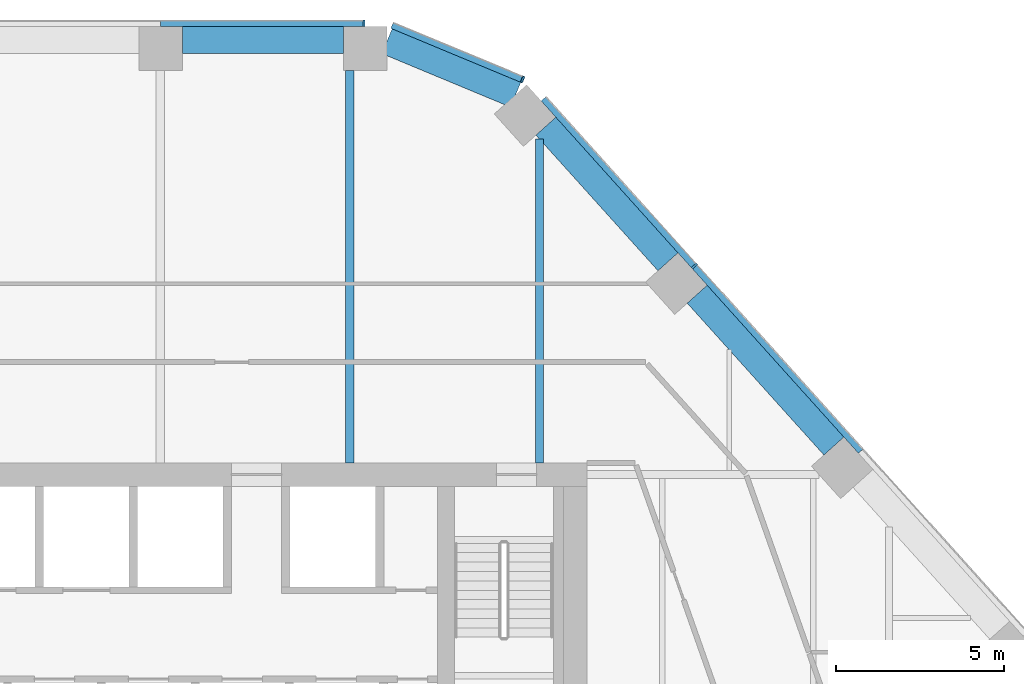
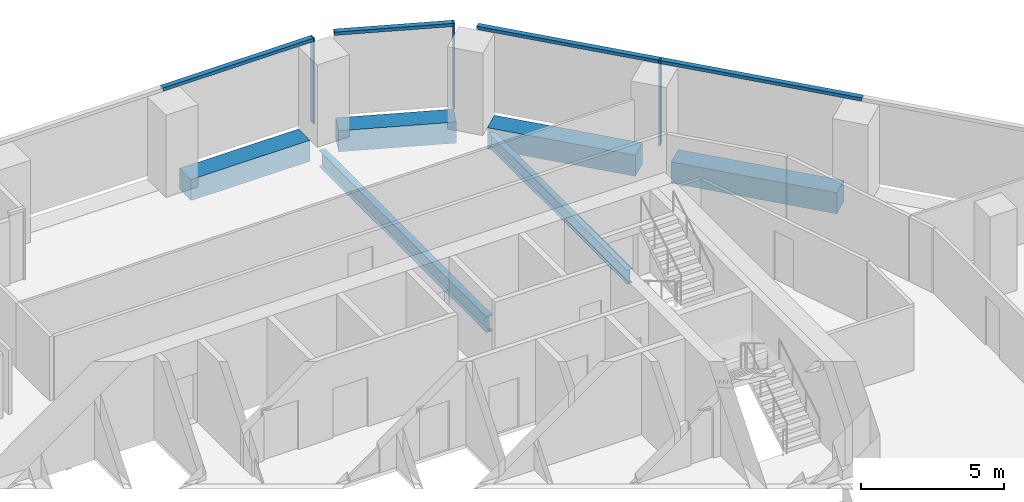
# One storey, part 11 of 26: 7 members, 6 beams, 3 elements without a shape of their own.
"""IFC4 building model written with IfcOpenShell, lengths in metres."""

from ifc_helpers import new_model, si_unit, direction, frame, origin, origin_2d, place, context, subcontext, project, spatial, rectangle, i_section, extrude, material, layer, layer_set, material_profile, profile_set, type_object, element, aggregate, save


model = new_model("IFC4")

# Units and contexts
model_context = context("Model", 3, precision=1e-05, world=origin(), true_north=direction((0.0, 1.0)))
body_context = subcontext(model_context, "Body", "Model", "MODEL_VIEW")
ifc_project = project(units=[si_unit("LENGTHUNIT", "METRE"), si_unit("AREAUNIT", "SQUARE_METRE"), si_unit("VOLUMEUNIT", "CUBIC_METRE"), si_unit("PLANEANGLEUNIT", "RADIAN"), si_unit("MASSUNIT", "GRAM", prefix="KILO")], contexts=[model_context])

# Site, building, storey
site_placement = place(None, origin())
site = spatial("IfcSite", under=ifc_project, at=site_placement, CompositionType="ELEMENT")
building_placement = place(site_placement, origin())
building = spatial("IfcBuilding", under=site, at=building_placement, Name="Isthmus Gate Tower", CompositionType="ELEMENT")
storey_placement = place(building_placement, frame((0.0, 0.0, 189.050048828125)))
storey = spatial("IfcBuildingStorey", under=building, at=storey_placement, Name="L47", CompositionType="ELEMENT", Elevation=189.050048828125)

# Curtain wall, member
ifc_material_1 = material(Name="Aluminium, pale champagne anodised", Category="aluminium")
ifc_layer = layer(ifc_material_1, 0.199951171875)
ifc_layer_set = layer_set([ifc_layer], Name="CW-1 UNITISED CURTAIN WALL 200 DEEP")
curtain_wall_type = type_object("IfcCurtainWallType", Name="CW-1 UNITISED CURTAIN WALL 200 DEEP", PredefinedType="NOTDEFINED", material=ifc_layer_set)
curtain_wall_1_placement = place(storey_placement, origin())
curtain_wall_1 = element("IfcCurtainWall", 1, at=curtain_wall_1_placement, inside=storey, type_object=curtain_wall_type, Name="CW-1 N L47", PredefinedType="NOTDEFINED")
ifc_material_2 = material(Name="Aluminium, pale champagne anodised", Category="aluminium")
ifc_material_profile_1 = material_profile(ifc_material_2, rectangle(XDim=0.06005859375, YDim=0.199951171875, at=origin_2d()), Name="60x200")
ifc_profile_set_1 = profile_set([ifc_material_profile_1], Name="Aluminium, pale champagne anodised")
member_type_1 = type_object("IfcMemberType", Name="CW-1 MULLION 60 X 200", PredefinedType="MULLION", material=ifc_profile_set_1)
member_1_placement = place(storey_placement, frame((8.358642578125, 28.10009765625, 0.0), z_axis=(0.0, 0.0, 1.0), x_axis=(-1.0, 0.0, 0.0)))
member_1 = element("IfcMember", 2, at=member_1_placement, type_object=member_type_1, Name="CW-1 mullion", PredefinedType="MULLION", context=body_context, shape_type="SweptSolid", body=[
    extrude(rectangle(XDim=0.06005859375, YDim=0.199951171875, at=origin_2d()), origin(), (0.0, 0.0, 1.0), 3.64990234375),
])

curtain_wall_2_placement = place(storey_placement, origin())
curtain_wall_2 = element("IfcCurtainWall", 3, at=curtain_wall_2_placement, inside=storey, type_object=curtain_wall_type, Name="CW-1 NE L47", PredefinedType="NOTDEFINED")
member_2_placement = place(storey_placement, frame((18.201416015625, 20.865478515625, 0.0), z_axis=(0.0, 0.0, 1.0), x_axis=(-0.669130606359, 0.743144825477, 0.0)))
member_2 = element("IfcMember", 4, at=member_2_placement, type_object=member_type_1, Name="CW-1 mullion", PredefinedType="MULLION", context=body_context, shape_type="SweptSolid", body=[
    extrude(rectangle(XDim=0.06005859375, YDim=0.199951171875, at=origin_2d()), origin(), (0.0, 0.0, 1.0), 3.64990234375),
])

curtain_wall_3_placement = place(storey_placement, origin())
curtain_wall_3 = element("IfcCurtainWall", 5, at=curtain_wall_3_placement, inside=storey, type_object=curtain_wall_type, Name="CW-1 NE-N L47", PredefinedType="NOTDEFINED")
member_3_placement = place(storey_placement, frame((13.080810546875, 26.427490234375, 0.0), z_axis=(0.0, 0.0, 1.0), x_axis=(-0.923353128387, 0.383951820282, 0.0)))
member_3 = element("IfcMember", 6, at=member_3_placement, type_object=member_type_1, Name="CW-1 mullion", PredefinedType="MULLION", context=body_context, shape_type="SweptSolid", body=[
    extrude(rectangle(XDim=0.06005859375, YDim=0.199951171875, at=origin_2d()), origin(), (0.0, 0.0, 1.0), 3.64990234375),
])

# Member
ifc_material_3 = material(Name="Aluminium, pale champagne anodised", Category="aluminium")
ifc_material_profile_2 = material_profile(ifc_material_3, rectangle(XDim=0.199951171875, YDim=0.139892578125, at=origin_2d()), Name="200x140")
ifc_profile_set_2 = profile_set([ifc_material_profile_2], Name="Aluminium, pale champagne anodised")
member_type_2 = type_object("IfcMemberType", Name="CW-1 TRANSOM 200 X 140", PredefinedType="USERDEFINED", material=ifc_profile_set_2)
member_4_placement = place(storey_placement, frame((8.32861328125, 28.10009765625, 3.579833984375), z_axis=(-1.0, 0.0, 0.0), x_axis=(0.0, -1.0, 0.0)))
member_4 = element("IfcMember", 7, at=member_4_placement, type_object=member_type_2, Name="CW-1 transom", ObjectType="TRANSOM", PredefinedType="USERDEFINED", context=body_context, shape_type="SweptSolid", body=[
    extrude(rectangle(XDim=0.199951171875, YDim=0.139892578125, at=origin_2d()), origin(), (0.0, 0.0, 1.0), 6.040283203125),
])

aggregate(curtain_wall_1, [member_1, member_4])

member_5_placement = place(storey_placement, frame((23.1669921875, 15.350830078125, 3.579833984375), z_axis=(-0.669141738281, 0.743134802099, 0.0), x_axis=(-0.743134802099, -0.669141738281, 0.0)))
member_5 = element("IfcMember", 8, at=member_5_placement, type_object=member_type_2, Name="CW-1 transom", ObjectType="TRANSOM", PredefinedType="USERDEFINED", context=body_context, shape_type="SweptSolid", body=[
    extrude(rectangle(XDim=0.199951171875, YDim=0.139892578125, at=origin_2d()), origin(), (0.0, 0.0, 1.0), 7.390869140625),
])

member_6_placement = place(storey_placement, frame((18.181396484375, 20.887939453125, 3.579833984375), z_axis=(-0.669118161219, 0.743156030943, 0.0), x_axis=(-0.743156030943, -0.669118161219, 0.0)))
member_6 = element("IfcMember", 9, at=member_6_placement, type_object=member_type_2, Name="CW-1 transom", ObjectType="TRANSOM", PredefinedType="USERDEFINED", context=body_context, shape_type="SweptSolid", body=[
    extrude(rectangle(XDim=0.199951171875, YDim=0.139892578125, at=origin_2d()), origin(), (0.0, 0.0, 1.0), 6.6806640625),
])

aggregate(curtain_wall_2, [member_5, member_2, member_6])

member_7_placement = place(storey_placement, frame((13.05322265625, 26.43896484375, 3.579833984375), z_axis=(-0.923358236369, 0.383939536033, 0.0), x_axis=(-0.383939536033, -0.923358236369, 0.0)))
member_7 = element("IfcMember", 10, at=member_7_placement, type_object=member_type_2, Name="CW-1 transom", ObjectType="TRANSOM", PredefinedType="USERDEFINED", context=body_context, shape_type="SweptSolid", body=[
    extrude(rectangle(XDim=0.199951171875, YDim=0.139892578125, at=origin_2d()), origin(), (0.0, 0.0, 1.0), 4.181640625),
])

aggregate(curtain_wall_3, [member_3, member_7])

# Beams
ifc_material_4 = material(Name="Concrete f'c 60 MPa", Category="concrete")
ifc_material_profile_3 = material_profile(ifc_material_4, rectangle(XDim=0.800048828125, YDim=0.89990234375, at=origin_2d()), Name="RC 800X900")
ifc_profile_set_3 = profile_set([ifc_material_profile_3], Name="Concrete f'c 60 MPa")
beam_type_1 = type_object("IfcBeamType", Name="RC SPANDREL 800 X 900", PredefinedType="SPANDREL", material=ifc_profile_set_3)
beam_1_placement = place(storey_placement, frame((9.03857421875, 27.56689453125, -0.449951171875), z_axis=(0.923342835736, -0.383976571805, 0.0), x_axis=(0.383976571805, 0.923342835736, 0.0)))
element("IfcBeam", 11, at=beam_1_placement, inside=storey, type_object=beam_type_1, Name="str-spandrel-L47-00", PredefinedType="SPANDREL", context=body_context, shape_type="SweptSolid", body=[
    extrude(rectangle(XDim=0.800048828125, YDim=0.89990234375, at=origin_2d()), origin(), (0.0, 0.0, 1.0), 4.152587890625),
])
beam_2_placement = place(storey_placement, frame((13.7744140625, 25.03515625, -0.449951171875), z_axis=(0.669118419563, -0.743155798337, 0.0), x_axis=(0.743155798337, 0.669118419563, 0.0)))
element("IfcBeam", 12, at=beam_2_placement, inside=storey, type_object=beam_type_1, Name="str-spandrel-L47-01", PredefinedType="SPANDREL", context=body_context, shape_type="SweptSolid", body=[
    extrude(rectangle(XDim=0.800048828125, YDim=0.89990234375, at=origin_2d()), origin(), (0.0, 0.0, 1.0), 5.44091796875),
])
beam_3_placement = place(storey_placement, frame((18.284912109375, 20.025634765625, -0.449951171875), z_axis=(0.669119737495, -0.743154611703, 0.0), x_axis=(0.743154611703, 0.669119737495, 0.0)))
element("IfcBeam", 13, at=beam_3_placement, inside=storey, type_object=beam_type_1, Name="str-spandrel-L47-02", PredefinedType="SPANDREL", context=body_context, shape_type="SweptSolid", body=[
    extrude(rectangle(XDim=0.800048828125, YDim=0.89990234375, at=origin_2d()), origin(), (0.0, 0.0, 1.0), 6.0908203125),
])
beam_4_placement = place(storey_placement, frame((2.9384765625, 27.60009765625, -0.449951171875), z_axis=(1.0, 0.0, 0.0), x_axis=(0.0, 1.0, 0.0)))
element("IfcBeam", 14, at=beam_4_placement, inside=storey, type_object=beam_type_1, Name="str-spandrel-L47-29", PredefinedType="SPANDREL", context=body_context, shape_type="SweptSolid", body=[
    extrude(rectangle(XDim=0.800048828125, YDim=0.89990234375, at=origin_2d()), origin(), (0.0, 0.0, 1.0), 4.800048828125),
])
ifc_material_5 = material(Name="Structural steel ASTM A992 Gr 50", Category="steel")
ifc_material_profile_4 = material_profile(ifc_material_5, i_section(OverallWidth=0.228515625, OverallDepth=0.603271484375, WebThickness=0.010986328125, FlangeThickness=0.014404296875, at=origin_2d()), Name="W24X68")
ifc_profile_set_4 = profile_set([ifc_material_profile_4], Name="Structural steel ASTM A992 Gr 50")
beam_type_2 = type_object("IfcBeamType", Name="STEEL FLOOR BEAM W24X68", PredefinedType="JOIST", material=ifc_profile_set_4)
beam_5_placement = place(storey_placement, frame((13.583984375, 15.0, -0.45166015625), z_axis=(0.0, 1.0, 0.0), x_axis=(-1.0, 0.0, 0.0)))
element("IfcBeam", 15, at=beam_5_placement, inside=storey, type_object=beam_type_2, Name="str-beam-L47-08-06", PredefinedType="JOIST", context=body_context, shape_type="SweptSolid", body=[
    extrude(i_section(OverallWidth=0.228515625, OverallDepth=0.603271484375, WebThickness=0.010986328125, FlangeThickness=0.014404296875, at=origin_2d()), origin(), (0.0, 0.0, 1.0), 9.648681640625),
])
ifc_material_6 = material(Name="Structural steel ASTM A992 Gr 50", Category="steel")
ifc_material_profile_5 = material_profile(ifc_material_6, i_section(OverallWidth=0.25390625, OverallDepth=0.679443359375, WebThickness=0.010986328125, FlangeThickness=0.015869140625, at=origin_2d()), Name="W27X84")
ifc_profile_set_5 = profile_set([ifc_material_profile_5], Name="Structural steel ASTM A992 Gr 50")
beam_type_3 = type_object("IfcBeamType", Name="STEEL FLOOR BEAM W27X84", PredefinedType="JOIST", material=ifc_profile_set_5)
beam_6_placement = place(storey_placement, frame((7.93115234375, 15.0, -0.48974609375), z_axis=(0.0, 1.0, 0.0), x_axis=(-1.0, 0.0, 0.0)))
element("IfcBeam", 16, at=beam_6_placement, inside=storey, type_object=beam_type_3, Name="str-beam-L47-08-05", PredefinedType="JOIST", context=body_context, shape_type="SweptSolid", body=[
    extrude(i_section(OverallWidth=0.25390625, OverallDepth=0.679443359375, WebThickness=0.010986328125, FlangeThickness=0.015869140625, at=origin_2d()), origin(), (0.0, 0.0, 1.0), 11.699951171875),
])

save(model, "model.ifc")
